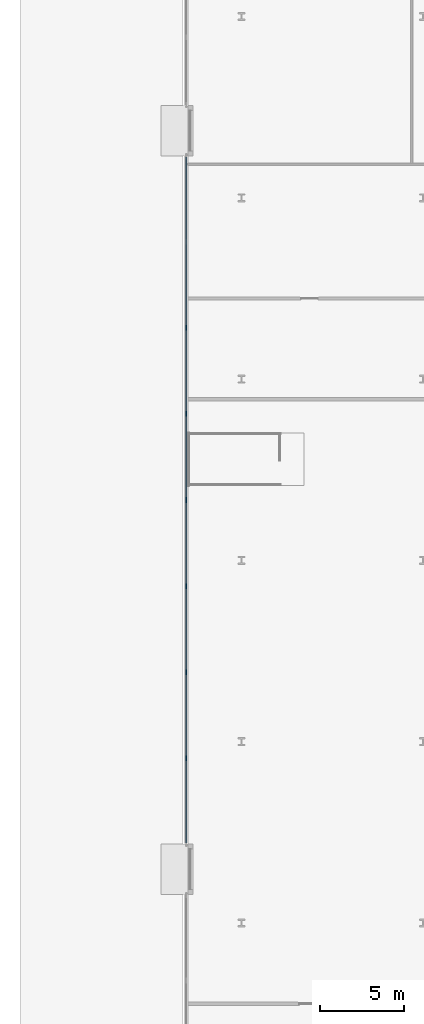
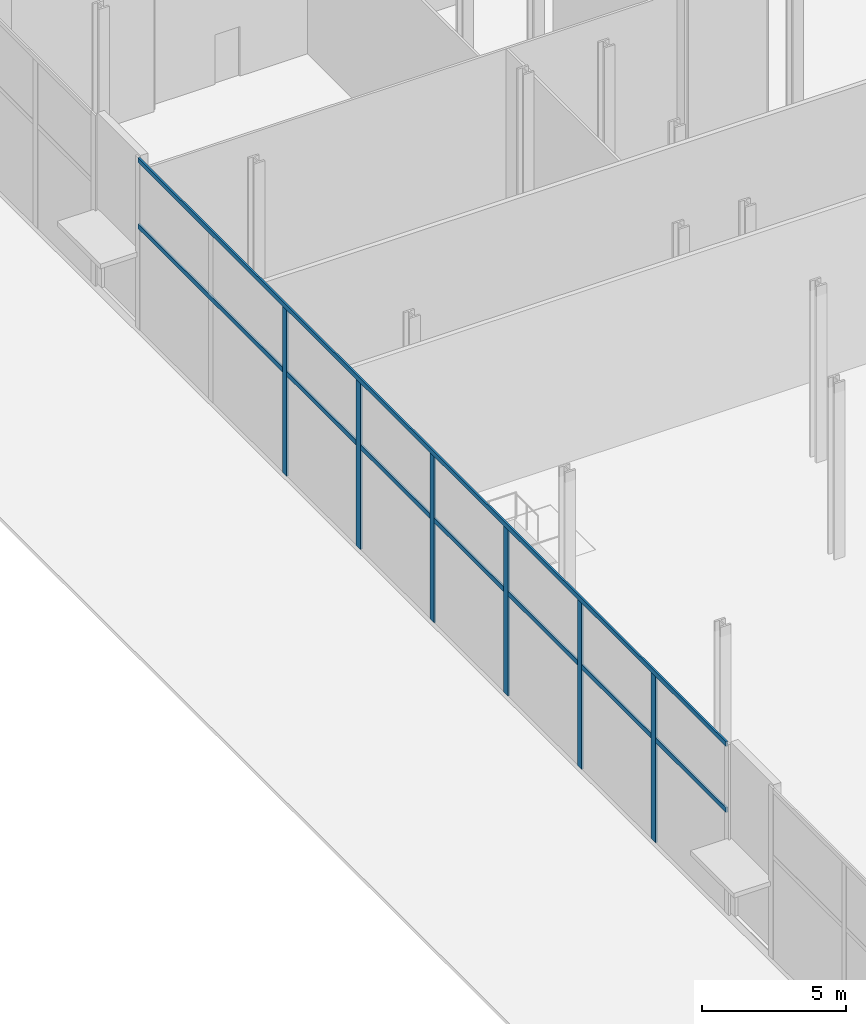
# One storey, part 7 of 46: 8 members, 1 element without a shape of its own.
"""IFC4 building model written with IfcOpenShell, lengths in metres."""

from ifc_helpers import new_model, si_unit, direction, frame, origin, origin_2d, place, context, subcontext, project, spatial, rectangle, extrude, material, layer, layer_set, material_profile, profile_set, type_object, element, aggregate, save


model = new_model("IFC4")

# Units and contexts
model_context = context("Model", 3, precision=1e-05, world=origin(), true_north=direction((0.0, 1.0)))
body_context = subcontext(model_context, "Body", "Model", "MODEL_VIEW")
ifc_project = project(units=[si_unit("LENGTHUNIT", "METRE"), si_unit("AREAUNIT", "SQUARE_METRE"), si_unit("VOLUMEUNIT", "CUBIC_METRE"), si_unit("PLANEANGLEUNIT", "RADIAN"), si_unit("MASSUNIT", "GRAM", prefix="KILO")], contexts=[model_context])

# Site, building, storey
site_placement = place(None, origin())
site = spatial("IfcSite", under=ifc_project, at=site_placement, CompositionType="ELEMENT")
building_placement = place(site_placement, origin())
building = spatial("IfcBuilding", under=site, at=building_placement, Name="Kheshtan School and Residences Tower", CompositionType="ELEMENT")
storey_placement = place(building_placement, origin())
storey = spatial("IfcBuildingStorey", under=building, at=storey_placement, Name="L00", CompositionType="ELEMENT", Elevation=0.0)

# Curtain wall, members
ifc_material_1 = material(Name="Clear low-e glass in thermally broken aluminium frame", Category="aluminium")
ifc_layer = layer(ifc_material_1, 0.300048828125)
ifc_layer_set = layer_set([ifc_layer], Name="Curtain wall CW-A")
curtain_wall_type = type_object("IfcCurtainWallType", Name="Curtain wall CW-A", PredefinedType="NOTDEFINED", material=ifc_layer_set)
curtain_wall_placement = place(storey_placement, origin())
curtain_wall = element("IfcCurtainWall", 1, at=curtain_wall_placement, inside=storey, type_object=curtain_wall_type, Name="Curtain wall CWA16a", PredefinedType="NOTDEFINED")
ifc_material_2 = material(Name="Thermally broken aluminium, dark bronze anodised", Category="aluminium")
ifc_material_profile_1 = material_profile(ifc_material_2, rectangle(XDim=0.074951171875, YDim=0.300048828125, at=origin_2d()), Name="CW-A mullion 75x300")
ifc_profile_set_1 = profile_set([ifc_material_profile_1], Name="Thermally broken aluminium, dark bronze anodised")
member_type_1 = type_object("IfcMemberType", Name="CW-A mullion 75x300", PredefinedType="MULLION", material=ifc_profile_set_1)
member_1_placement = place(storey_placement, frame((11.89990234375, 44.625, 0.0), z_axis=(0.0, 0.0, 1.0), x_axis=(-1.0, 0.0, 0.0)))
member_1 = element("IfcMember", 2, at=member_1_placement, type_object=member_type_1, Name="CWA16a mullion 2", PredefinedType="MULLION", context=body_context, shape_type="SweptSolid", body=[
    extrude(rectangle(XDim=0.074951171875, YDim=0.300048828125, at=origin_2d()), origin(), (0.0, 0.0, 1.0), 7.050048828125),
])
member_2_placement = place(storey_placement, frame((11.89990234375, 49.75, 0.0), z_axis=(0.0, 0.0, 1.0), x_axis=(-1.0, 0.0, 0.0)))
member_2 = element("IfcMember", 3, at=member_2_placement, type_object=member_type_1, Name="CWA16a mullion 3", PredefinedType="MULLION", context=body_context, shape_type="SweptSolid", body=[
    extrude(rectangle(XDim=0.074951171875, YDim=0.300048828125, at=origin_2d()), origin(), (0.0, 0.0, 1.0), 7.050048828125),
])
member_3_placement = place(storey_placement, frame((11.89990234375, 54.875, 0.0), z_axis=(0.0, 0.0, 1.0), x_axis=(-1.0, 0.0, 0.0)))
member_3 = element("IfcMember", 4, at=member_3_placement, type_object=member_type_1, Name="CWA16a mullion 4", PredefinedType="MULLION", context=body_context, shape_type="SweptSolid", body=[
    extrude(rectangle(XDim=0.074951171875, YDim=0.300048828125, at=origin_2d()), origin(), (0.0, 0.0, 1.0), 7.050048828125),
])
member_4_placement = place(storey_placement, frame((11.89990234375, 60.0, 0.0), z_axis=(0.0, 0.0, 1.0), x_axis=(-1.0, 0.0, 0.0)))
member_4 = element("IfcMember", 5, at=member_4_placement, type_object=member_type_1, Name="CWA16a mullion 5", PredefinedType="MULLION", context=body_context, shape_type="SweptSolid", body=[
    extrude(rectangle(XDim=0.074951171875, YDim=0.300048828125, at=origin_2d()), origin(), (0.0, 0.0, 1.0), 7.050048828125),
])
member_5_placement = place(storey_placement, frame((11.89990234375, 65.125, 0.0), z_axis=(0.0, 0.0, 1.0), x_axis=(-1.0, 0.0, 0.0)))
member_5 = element("IfcMember", 6, at=member_5_placement, type_object=member_type_1, Name="CWA16a mullion 6", PredefinedType="MULLION", context=body_context, shape_type="SweptSolid", body=[
    extrude(rectangle(XDim=0.074951171875, YDim=0.300048828125, at=origin_2d()), origin(), (0.0, 0.0, 1.0), 7.050048828125),
])
member_6_placement = place(storey_placement, frame((11.89990234375, 70.25, 0.0), z_axis=(0.0, 0.0, 1.0), x_axis=(-1.0, 0.0, 0.0)))
member_6 = element("IfcMember", 7, at=member_6_placement, type_object=member_type_1, Name="CWA16a mullion 7", PredefinedType="MULLION", context=body_context, shape_type="SweptSolid", body=[
    extrude(rectangle(XDim=0.074951171875, YDim=0.300048828125, at=origin_2d()), origin(), (0.0, 0.0, 1.0), 7.050048828125),
])
ifc_material_profile_2 = material_profile(ifc_material_2, rectangle(XDim=0.074951171875, YDim=0.199951171875, at=origin_2d()), Name="CW-A transom 75x200")
ifc_profile_set_2 = profile_set([ifc_material_profile_2], Name="Thermally broken aluminium, dark bronze anodised")
member_type_2 = type_object("IfcMemberType", Name="CW-A transom 75x200", PredefinedType="USERDEFINED", material=ifc_profile_set_2)
member_7_placement = place(storey_placement, frame((11.89990234375, 39.574951171875, 4.35009765625), z_axis=(0.0, 1.0, 0.0), x_axis=(-1.0, 0.0, 0.0)))
member_7 = element("IfcMember", 8, at=member_7_placement, type_object=member_type_2, Name="CWA16a transom 1", ObjectType="TRANSOM", PredefinedType="USERDEFINED", context=body_context, shape_type="SweptSolid", body=[
    extrude(rectangle(XDim=0.074951171875, YDim=0.199951171875, at=origin_2d()), origin(), (0.0, 0.0, 1.0), 40.85009765625),
])
member_8_placement = place(storey_placement, frame((11.89990234375, 39.574951171875, 7.14990234375), z_axis=(0.0, 1.0, 0.0), x_axis=(-1.0, 0.0, 0.0)))
member_8 = element("IfcMember", 9, at=member_8_placement, type_object=member_type_2, Name="CWA16a transom 2", ObjectType="TRANSOM", PredefinedType="USERDEFINED", context=body_context, shape_type="SweptSolid", body=[
    extrude(rectangle(XDim=0.074951171875, YDim=0.199951171875, at=origin_2d()), origin(), (0.0, 0.0, 1.0), 40.85009765625),
])
aggregate(curtain_wall, [member_1, member_2, member_3, member_4, member_5, member_6, member_7, member_8])

save(model, "model.ifc")
